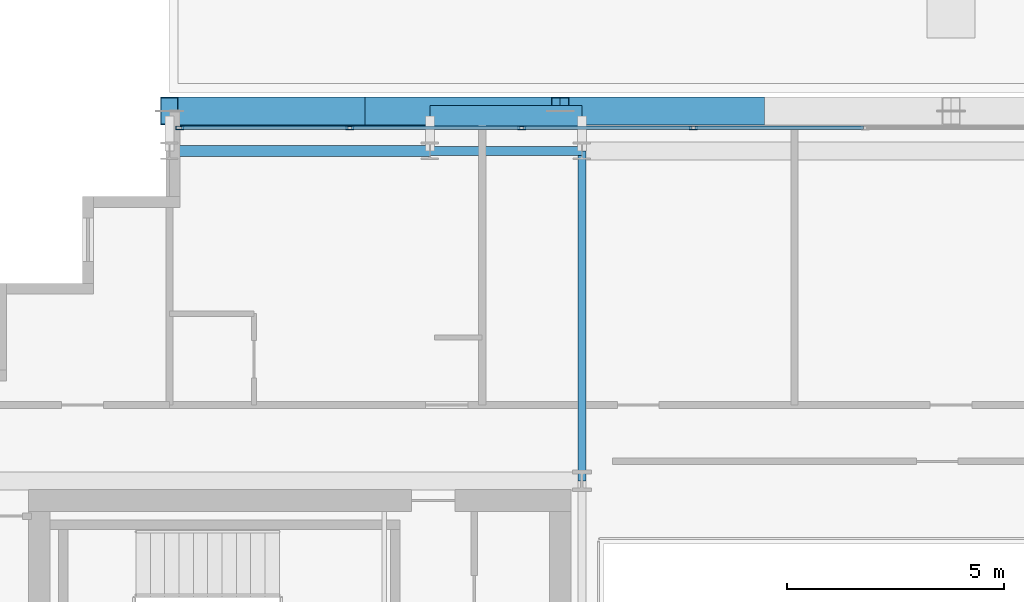
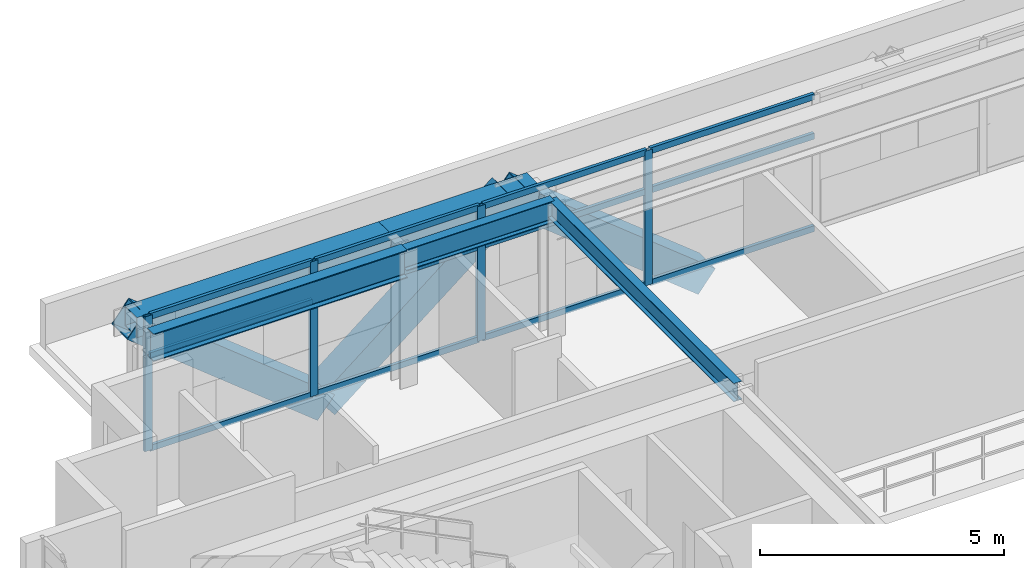
# One storey, part 17 of 34: 19 members, 5 beams, 1 element without a shape of its own.
"""IFC4 building model written with IfcOpenShell, lengths in metres."""

from ifc_helpers import new_model, si_unit, direction, frame, origin, origin_2d, place, context, subcontext, project, spatial, hollow_rectangle, i_section, extrude, source, transform, mapped, material, layer, layer_set, material_profile, profile_set, type_object, element, aggregate, save


model = new_model("IFC4")

# Units and contexts
model_context = context("Model", 3, precision=1e-05, world=origin(), true_north=direction((0.0, 1.0)))
body_context = subcontext(model_context, "Body", "Model", "MODEL_VIEW")
ifc_project = project(units=[si_unit("LENGTHUNIT", "METRE"), si_unit("AREAUNIT", "SQUARE_METRE"), si_unit("VOLUMEUNIT", "CUBIC_METRE"), si_unit("PLANEANGLEUNIT", "RADIAN"), si_unit("MASSUNIT", "GRAM", prefix="KILO")], contexts=[model_context])

# Site, building, storey
site_placement = place(None, origin())
site = spatial("IfcSite", under=ifc_project, at=site_placement, CompositionType="ELEMENT")
building_placement = place(site_placement, origin())
building = spatial("IfcBuilding", under=site, at=building_placement, Name="Ocotamira Hotel", CompositionType="ELEMENT")
storey_placement = place(building_placement, frame((0.0, 0.0, 163.199951171875)))
storey = spatial("IfcBuildingStorey", under=building, at=storey_placement, Name="L40", CompositionType="ELEMENT", Elevation=163.199951171875)

# Beams
ifc_material_1 = material(Name="Steel ASTM A992 Grade 50", Category="steel")
ifc_material_profile_1 = material_profile(ifc_material_1, i_section(OverallWidth=0.256103515625, OverallDepth=0.693115234375, WebThickness=0.014404296875, FlangeThickness=0.023681640625, FilletRadius=0.01611328125, at=origin_2d()), Name="W27X114")
ifc_profile_set_1 = profile_set([ifc_material_profile_1], Name="Steel ASTM A992 Grade 50")
beam_type_1 = type_object("IfcBeamType", Name="BM-PRIM-W27X114", PredefinedType="BEAM", material=ifc_profile_set_1)
shared_shape_1 = source(origin(), body_context, "Body", "SweptSolid", [
    extrude(i_section(OverallWidth=0.256103515625, OverallDepth=0.693115234375, WebThickness=0.014404296875, FlangeThickness=0.023681640625, FilletRadius=0.01611328125, at=origin_2d()), origin(), (0.0, 0.0, 1.0), 6.0),
])
beam_1_placement = place(storey_placement, frame((14.0, 45.050048828125, 3.0234375), z_axis=(1.0, 0.0, 0.0), x_axis=(0.0, 1.0, 0.0)))
element("IfcBeam", 1, at=beam_1_placement, inside=storey, type_object=beam_type_1, Name="L40 Girder Y45.05 X14-20", PredefinedType="BEAM", context=body_context, shape_type="MappedRepresentation", body=[
    mapped(shared_shape_1, transform((0.0, 0.0, 0.0), scale=1.0)),
])
ifc_material_profile_2 = material_profile(ifc_material_1, i_section(OverallWidth=0.2099609375, OverallDepth=0.537109375, WebThickness=0.010986328125, FlangeThickness=0.017333984375, FilletRadius=0.012939453125, at=origin_2d()), Name="W21X68")
ifc_profile_set_2 = profile_set([ifc_material_profile_2], Name="Steel ASTM A992 Grade 50")
beam_type_2 = type_object("IfcBeamType", Name="BM-SEC-W21X68", PredefinedType="JOIST", material=ifc_profile_set_2)
shared_shape_2 = source(origin(), body_context, "Body", "SweptSolid", [
    extrude(i_section(OverallWidth=0.2099609375, OverallDepth=0.537109375, WebThickness=0.010986328125, FlangeThickness=0.017333984375, FilletRadius=0.012939453125, at=origin_2d()), origin(), (0.0, 0.0, 1.0), 3.5),
])
beam_2_placement = place(storey_placement, frame((20.0, 45.050048828125, 3.1015625), z_axis=(1.0, 0.0, 0.0), x_axis=(0.0, 1.0, 0.0)))
element("IfcBeam", 2, at=beam_2_placement, inside=storey, type_object=beam_type_2, Name="L40 Girder Y45.05 X20-23.5", PredefinedType="JOIST", context=body_context, shape_type="MappedRepresentation", body=[
    mapped(shared_shape_2, transform((0.0, 0.0, 0.0), scale=1.0)),
])
ifc_material_2 = material(Name="Steel ASTM A500 Grade C", Category="steel")
ifc_material_profile_3 = material_profile(ifc_material_2, hollow_rectangle(XDim=0.5, YDim=0.5, WallThickness=0.02001953125, at=origin_2d()), Name="HSS500X500X20")
ifc_profile_set_3 = profile_set([ifc_material_profile_3], Name="Steel ASTM A500 Grade C")
beam_type_3 = type_object("IfcBeamType", Name="BM-SPAN-HSS500", PredefinedType="USERDEFINED", material=ifc_profile_set_3)
shared_shape_3 = source(origin(), body_context, "Body", "SweptSolid", [
    extrude(hollow_rectangle(XDim=0.5, YDim=0.5, WallThickness=0.02001953125, at=origin_2d()), origin(), (0.0, 0.0, 1.0), 6.0),
])
beam_3_placement = place(storey_placement, frame((14.0, 45.85009765625, 3.1201171875), z_axis=(1.0, 0.0, 0.0), x_axis=(0.0, 1.0, 0.0)))
element("IfcBeam", 3, at=beam_3_placement, inside=storey, type_object=beam_type_3, Name="L40 Edge Spandrel N X14-20", ObjectType="SPANDREL", PredefinedType="USERDEFINED", context=body_context, shape_type="MappedRepresentation", body=[
    mapped(shared_shape_3, transform((0.0, 0.0, 0.0), scale=1.0)),
])
shared_shape_4 = source(origin(), body_context, "Body", "SweptSolid", [
    extrude(hollow_rectangle(XDim=0.5, YDim=0.5, WallThickness=0.02001953125, at=origin_2d()), origin(), (0.0, 0.0, 1.0), 3.5),
])
beam_4_placement = place(storey_placement, frame((20.0, 45.85009765625, 3.1201171875), z_axis=(1.0, 0.0, 0.0), x_axis=(0.0, 1.0, 0.0)))
element("IfcBeam", 4, at=beam_4_placement, inside=storey, type_object=beam_type_3, Name="L40 Edge Spandrel N X20-23.5", ObjectType="SPANDREL", PredefinedType="USERDEFINED", context=body_context, shape_type="MappedRepresentation", body=[
    mapped(shared_shape_4, transform((0.0, 0.0, 0.0), scale=1.0)),
])
ifc_material_profile_4 = material_profile(ifc_material_1, i_section(OverallWidth=0.18994140625, OverallDepth=0.45703125, WebThickness=0.009033203125, FlangeThickness=0.014404296875, FilletRadius=0.010009765625, at=origin_2d()), Name="W18X50")
ifc_profile_set_4 = profile_set([ifc_material_profile_4], Name="Steel ASTM A992 Grade 50")
beam_type_4 = type_object("IfcBeamType", Name="BM-SEC-W18X50", PredefinedType="JOIST", material=ifc_profile_set_4)
shared_shape_5 = source(origin(), body_context, "Body", "SweptSolid", [
    extrude(i_section(OverallWidth=0.18994140625, OverallDepth=0.45703125, WebThickness=0.009033203125, FlangeThickness=0.014404296875, FilletRadius=0.010009765625, at=origin_2d()), origin(), (0.0, 0.0, 1.0), 7.60009765625),
])
beam_5_placement = place(storey_placement, frame((23.5, 37.449951171875, 3.1416015625), z_axis=(0.0, 1.0, 0.0), x_axis=(-1.0, 0.0, 0.0)))
element("IfcBeam", 5, at=beam_5_placement, inside=storey, type_object=beam_type_4, Name="L40 Beam X23.5 Y37.45-45.05", PredefinedType="JOIST", context=body_context, shape_type="MappedRepresentation", body=[
    mapped(shared_shape_5, transform((0.0, 0.0, 0.0), scale=1.0)),
])

# Members
ifc_material_3 = material(Name="Pale-metal coated steel ASTM A913 Grade 65", Category="steel")
ifc_material_profile_5 = material_profile(ifc_material_3, hollow_rectangle(XDim=0.64990234375, YDim=0.64990234375, WallThickness=0.02197265625, at=origin_2d()), Name="BOX650X650X22")
ifc_profile_set_5 = profile_set([ifc_material_profile_5], Name="Pale-metal coated steel ASTM A913 Grade 65")
member_type_1 = type_object("IfcMemberType", Name="MEM-EXO-BOX650", PredefinedType="BRACE", material=ifc_profile_set_5)
shared_shape_6 = source(origin(), body_context, "Body", "SweptSolid", [
    extrude(hollow_rectangle(XDim=0.64990234375, YDim=0.64990234375, WallThickness=0.02197265625, at=origin_2d()), origin(), (0.0, 0.0, 1.0), 5.762939453125),
])
for number, where, z_axis, x_axis, name in (
    (6, (18.5, 45.969970703125, -0.47998046875), (-0.780860543151, 0.0, 0.624705380279), (0.0, -1.0, 0.0), "L40 Exoskeleton Diagrid N0.1"),
    (7, (18.5, 45.969970703125, -0.47998046875), (0.780860543151, 0.0, 0.624705380279), (0.0, 1.0, 0.0), "L40 Exoskeleton Diagrid N0.2"),
    (8, (27.5, 45.969970703125, -0.47998046875), (-0.780860543151, 0.0, 0.624705380279), (0.0, -1.0, 0.0), "L40 Exoskeleton Diagrid N1.1"),
):
    element("IfcMember", number, at=place(storey_placement, frame(where, z_axis=z_axis, x_axis=x_axis)), inside=storey, type_object=member_type_1, Name=name, PredefinedType="BRACE", context=body_context, shape_type="MappedRepresentation", body=[
        mapped(shared_shape_6, transform((0.0, 0.0, 0.0), scale=1.0)),
    ])

# Curtain wall, members
ifc_material_4 = material(Name="Anodised pale-metal aluminium and solar glass", Category="aluminium")
ifc_layer = layer(ifc_material_4, 0.199951171875)
ifc_layer_set = layer_set([ifc_layer], Name="Anodised pale-metal aluminium and solar glass")
curtain_wall_type = type_object("IfcCurtainWallType", Name="CW-SYS4-Z3", PredefinedType="NOTDEFINED", material=ifc_layer_set)
curtain_wall_placement = place(storey_placement, origin())
curtain_wall = element("IfcCurtainWall", 9, at=curtain_wall_placement, inside=storey, type_object=curtain_wall_type, Name="L40 Curtain Wall CW-4 CW-L40-N", PredefinedType="NOTDEFINED")
ifc_material_5 = material(Name="Anodised pale-metal aluminium 6063-T6", Category="aluminium")
ifc_material_profile_6 = material_profile(ifc_material_5, hollow_rectangle(XDim=0.074951171875, YDim=0.14990234375, WallThickness=0.006103515625, at=origin_2d()), Name="HSS150X75X6")
ifc_profile_set_6 = profile_set([ifc_material_profile_6], Name="Anodised pale-metal aluminium 6063-T6")
member_type_2 = type_object("IfcMemberType", Name="CWT-150X75", PredefinedType="USERDEFINED", material=ifc_profile_set_6)
shared_shape_7 = source(origin(), body_context, "Body", "SweptSolid", [
    extrude(hollow_rectangle(XDim=0.074951171875, YDim=0.14990234375, WallThickness=0.006103515625, at=origin_2d()), origin(), (0.0, 0.0, 1.0), 3.83544921875),
])
member_1_placement = place(storey_placement, frame((14.280029296875, 45.580078125, 0.03759765625), z_axis=(1.0, 0.0, 0.0), x_axis=(0.0, 1.0, 0.0)))
member_1 = element("IfcMember", 10, at=member_1_placement, type_object=member_type_2, Name="CW-4 transom 1.1", ObjectType="TRANSOM", PredefinedType="USERDEFINED", context=body_context, shape_type="MappedRepresentation", body=[
    mapped(shared_shape_7, transform((0.0, 0.0, 0.0), scale=1.0)),
])
member_2_placement = place(storey_placement, frame((14.280029296875, 45.580078125, 2.35009765625), z_axis=(1.0, 0.0, 0.0), x_axis=(0.0, 1.0, 0.0)))
member_2 = element("IfcMember", 11, at=member_2_placement, type_object=member_type_2, Name="CW-4 transom 1.2", ObjectType="TRANSOM", PredefinedType="USERDEFINED", context=body_context, shape_type="MappedRepresentation", body=[
    mapped(shared_shape_7, transform((0.0, 0.0, 0.0), scale=1.0)),
])
member_3_placement = place(storey_placement, frame((14.280029296875, 45.580078125, 3.33251953125), z_axis=(1.0, 0.0, 0.0), x_axis=(0.0, 1.0, 0.0)))
member_3 = element("IfcMember", 12, at=member_3_placement, type_object=member_type_2, Name="CW-4 transom 1.3", ObjectType="TRANSOM", PredefinedType="USERDEFINED", context=body_context, shape_type="MappedRepresentation", body=[
    mapped(shared_shape_7, transform((0.0, 0.0, 0.0), scale=1.0)),
])
shared_shape_8 = source(origin(), body_context, "Body", "SweptSolid", [
    extrude(hollow_rectangle(XDim=0.074951171875, YDim=0.14990234375, WallThickness=0.006103515625, at=origin_2d()), origin(), (0.0, 0.0, 1.0), 3.87548828125),
])
member_4_placement = place(storey_placement, frame((18.195556640625, 45.580078125, 0.03759765625), z_axis=(1.0, 0.0, 0.0), x_axis=(0.0, 1.0, 0.0)))
member_4 = element("IfcMember", 13, at=member_4_placement, type_object=member_type_2, Name="CW-4 transom 2.1", ObjectType="TRANSOM", PredefinedType="USERDEFINED", context=body_context, shape_type="MappedRepresentation", body=[
    mapped(shared_shape_8, transform((0.0, 0.0, 0.0), scale=1.0)),
])
member_5_placement = place(storey_placement, frame((18.195556640625, 45.580078125, 2.35009765625), z_axis=(1.0, 0.0, 0.0), x_axis=(0.0, 1.0, 0.0)))
member_5 = element("IfcMember", 14, at=member_5_placement, type_object=member_type_2, Name="CW-4 transom 2.2", ObjectType="TRANSOM", PredefinedType="USERDEFINED", context=body_context, shape_type="MappedRepresentation", body=[
    mapped(shared_shape_8, transform((0.0, 0.0, 0.0), scale=1.0)),
])
member_6_placement = place(storey_placement, frame((18.195556640625, 45.580078125, 3.33251953125), z_axis=(1.0, 0.0, 0.0), x_axis=(0.0, 1.0, 0.0)))
member_6 = element("IfcMember", 15, at=member_6_placement, type_object=member_type_2, Name="CW-4 transom 2.3", ObjectType="TRANSOM", PredefinedType="USERDEFINED", context=body_context, shape_type="MappedRepresentation", body=[
    mapped(shared_shape_8, transform((0.0, 0.0, 0.0), scale=1.0)),
])
member_7_placement = place(storey_placement, frame((22.151123046875, 45.580078125, 0.03759765625), z_axis=(1.0, 0.0, 0.0), x_axis=(0.0, 1.0, 0.0)))
member_7 = element("IfcMember", 16, at=member_7_placement, type_object=member_type_2, Name="CW-4 transom 3.1", ObjectType="TRANSOM", PredefinedType="USERDEFINED", context=body_context, shape_type="MappedRepresentation", body=[
    mapped(shared_shape_8, transform((0.0, 0.0, 0.0), scale=1.0)),
])
member_8_placement = place(storey_placement, frame((22.151123046875, 45.580078125, 2.35009765625), z_axis=(1.0, 0.0, 0.0), x_axis=(0.0, 1.0, 0.0)))
member_8 = element("IfcMember", 17, at=member_8_placement, type_object=member_type_2, Name="CW-4 transom 3.2", ObjectType="TRANSOM", PredefinedType="USERDEFINED", context=body_context, shape_type="MappedRepresentation", body=[
    mapped(shared_shape_8, transform((0.0, 0.0, 0.0), scale=1.0)),
])
member_9_placement = place(storey_placement, frame((22.151123046875, 45.580078125, 3.33251953125), z_axis=(1.0, 0.0, 0.0), x_axis=(0.0, 1.0, 0.0)))
member_9 = element("IfcMember", 18, at=member_9_placement, type_object=member_type_2, Name="CW-4 transom 3.3", ObjectType="TRANSOM", PredefinedType="USERDEFINED", context=body_context, shape_type="MappedRepresentation", body=[
    mapped(shared_shape_8, transform((0.0, 0.0, 0.0), scale=1.0)),
])
member_10_placement = place(storey_placement, frame((26.106689453125, 45.580078125, 0.03759765625), z_axis=(1.0, 0.0, 0.0), x_axis=(0.0, 1.0, 0.0)))
member_10 = element("IfcMember", 19, at=member_10_placement, type_object=member_type_2, Name="CW-4 transom 4.1", ObjectType="TRANSOM", PredefinedType="USERDEFINED", context=body_context, shape_type="MappedRepresentation", body=[
    mapped(shared_shape_8, transform((0.0, 0.0, 0.0), scale=1.0)),
])
member_11_placement = place(storey_placement, frame((26.106689453125, 45.580078125, 2.35009765625), z_axis=(1.0, 0.0, 0.0), x_axis=(0.0, 1.0, 0.0)))
member_11 = element("IfcMember", 20, at=member_11_placement, type_object=member_type_2, Name="CW-4 transom 4.2", ObjectType="TRANSOM", PredefinedType="USERDEFINED", context=body_context, shape_type="MappedRepresentation", body=[
    mapped(shared_shape_8, transform((0.0, 0.0, 0.0), scale=1.0)),
])
member_12_placement = place(storey_placement, frame((26.106689453125, 45.580078125, 3.33251953125), z_axis=(1.0, 0.0, 0.0), x_axis=(0.0, 1.0, 0.0)))
member_12 = element("IfcMember", 21, at=member_12_placement, type_object=member_type_2, Name="CW-4 transom 4.3", ObjectType="TRANSOM", PredefinedType="USERDEFINED", context=body_context, shape_type="MappedRepresentation", body=[
    mapped(shared_shape_8, transform((0.0, 0.0, 0.0), scale=1.0)),
])
ifc_material_profile_7 = material_profile(ifc_material_5, hollow_rectangle(XDim=0.080078125, YDim=0.179931640625, WallThickness=0.006103515625, at=origin_2d()), Name="HSS180X80X6")
ifc_profile_set_7 = profile_set([ifc_material_profile_7], Name="Anodised pale-metal aluminium 6063-T6")
member_type_3 = type_object("IfcMemberType", Name="CWM-180X75", PredefinedType="MULLION", material=ifc_profile_set_7)
shared_shape_9 = source(origin(), body_context, "Body", "SweptSolid", [
    extrude(hollow_rectangle(XDim=0.080078125, YDim=0.179931640625, WallThickness=0.006103515625, at=origin_2d()), origin(), (0.0, 0.0, 1.0), 3.3701171875),
])
member_13_placement = place(storey_placement, frame((14.239990234375, 45.580078125, 0.0), z_axis=(0.0, 0.0, 1.0), x_axis=(0.0, 1.0, 0.0)))
member_13 = element("IfcMember", 22, at=member_13_placement, type_object=member_type_3, Name="CW-4 mullion 1", PredefinedType="MULLION", context=body_context, shape_type="MappedRepresentation", body=[
    mapped(shared_shape_9, transform((0.0, 0.0, 0.0), scale=1.0)),
])
member_14_placement = place(storey_placement, frame((18.155517578125, 45.580078125, 0.0), z_axis=(0.0, 0.0, 1.0), x_axis=(0.0, 1.0, 0.0)))
member_14 = element("IfcMember", 23, at=member_14_placement, type_object=member_type_3, Name="CW-4 mullion 2", PredefinedType="MULLION", context=body_context, shape_type="MappedRepresentation", body=[
    mapped(shared_shape_9, transform((0.0, 0.0, 0.0), scale=1.0)),
])
member_15_placement = place(storey_placement, frame((22.111083984375, 45.580078125, 0.0), z_axis=(0.0, 0.0, 1.0), x_axis=(0.0, 1.0, 0.0)))
member_15 = element("IfcMember", 24, at=member_15_placement, type_object=member_type_3, Name="CW-4 mullion 3", PredefinedType="MULLION", context=body_context, shape_type="MappedRepresentation", body=[
    mapped(shared_shape_9, transform((0.0, 0.0, 0.0), scale=1.0)),
])
member_16_placement = place(storey_placement, frame((26.066650390625, 45.580078125, 0.0), z_axis=(0.0, 0.0, 1.0), x_axis=(0.0, 1.0, 0.0)))
member_16 = element("IfcMember", 25, at=member_16_placement, type_object=member_type_3, Name="CW-4 mullion 4", PredefinedType="MULLION", context=body_context, shape_type="MappedRepresentation", body=[
    mapped(shared_shape_9, transform((0.0, 0.0, 0.0), scale=1.0)),
])
aggregate(curtain_wall, [member_13, member_14, member_15, member_16, member_1, member_2, member_3, member_4, member_5, member_6, member_7, member_8, member_9, member_10, member_11, member_12])

save(model, "model.ifc")
